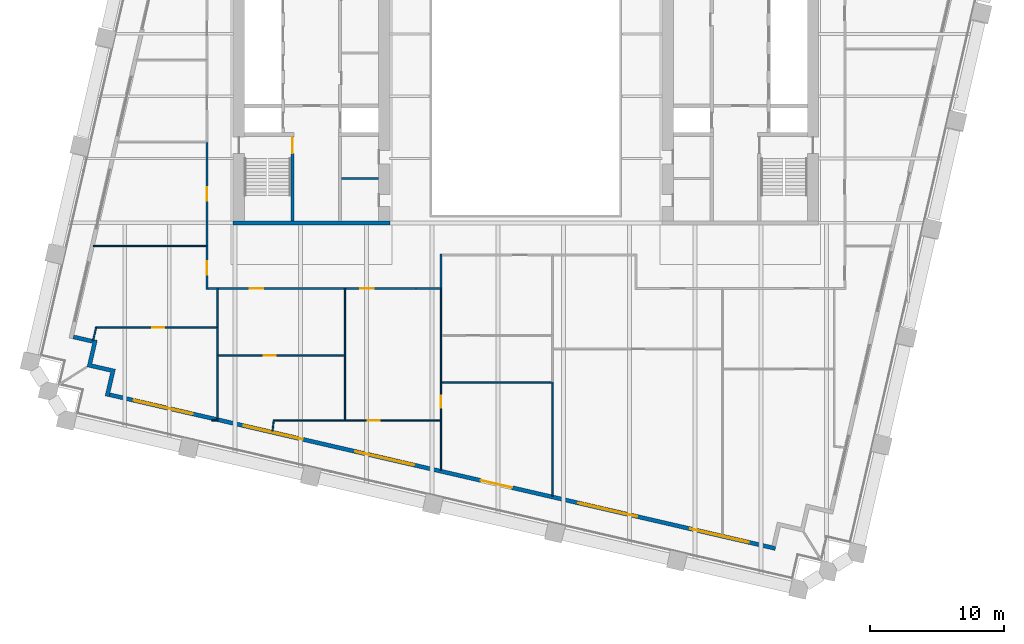
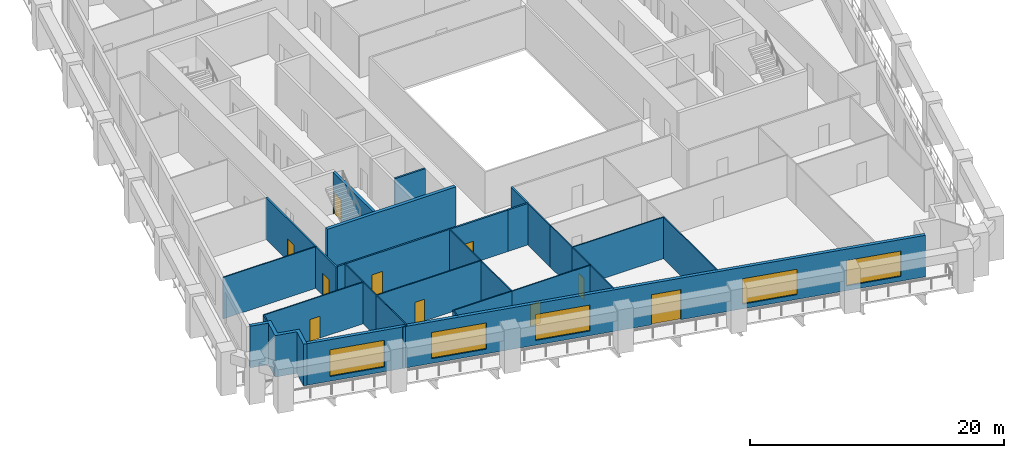
# One storey, part 4 of 11: 31 walls, 10 doors, 5 windows, 15 openings.
"""IFC4 building model written with IfcOpenShell, lengths in metres."""

from ifc_helpers import new_model, si_unit, direction, frame, frame_2d, origin, place, context, subcontext, project, spatial, polyline, rectangle, outline, extrude, material, layer, layer_set, type_object, element, fill, save


model = new_model("IFC4")

# Units and contexts
model_context = context("Model", 3, precision=1e-05, world=origin(), true_north=direction((0.0, 1.0)))
body_context = subcontext(model_context, "Body", "Model", "MODEL_VIEW")
ifc_project = project(units=[si_unit("LENGTHUNIT", "METRE"), si_unit("AREAUNIT", "SQUARE_METRE"), si_unit("VOLUMEUNIT", "CUBIC_METRE"), si_unit("PLANEANGLEUNIT", "RADIAN"), si_unit("MASSUNIT", "GRAM", prefix="KILO")], contexts=[model_context])

# Site, building, storey
site_placement = place(None, origin())
site = spatial("IfcSite", under=ifc_project, at=site_placement, CompositionType="ELEMENT")
building_placement = place(site_placement, origin())
building = spatial("IfcBuilding", under=site, at=building_placement, Name="Ogive Exchange Tower", CompositionType="ELEMENT")
storey_placement = place(building_placement, frame((0.0, 0.0, 135.0)))
storey = spatial("IfcBuildingStorey", under=building, at=storey_placement, Name="L29", CompositionType="ELEMENT", Elevation=135.0)

# Wall
ifc_material_1 = material(Name="Gypsum board partition")
ifc_layer_1 = layer(ifc_material_1, 0.14990234375)
ifc_layer_set_1 = layer_set([ifc_layer_1], Name="Core room partition 150 gypsum")
wall_type_1 = type_object("IfcWallType", Name="Core room partition 150 gypsum", PredefinedType="PARTITIONING", material=ifc_layer_set_1)
wall_1_placement = place(storey_placement, frame((-13.75, 0.699951171875, 0.0), z_axis=(0.0, 0.0, 1.0), x_axis=(1.0, 0.0, 0.0)))
element("IfcWall", 1, at=wall_1_placement, inside=storey, type_object=wall_type_1, Name="W south room partition", PredefinedType="PARTITIONING", context=body_context, shape_type="SweptSolid", body=[
    extrude(rectangle(XDim=2.75, YDim=0.14990234375, at=frame_2d((1.375, 0.0))), origin(), (0.0, 0.0, 1.0), 4.0),
])

# Wall, opening, door
ifc_material_2 = material(Name="Fire partition EI 60 150")
ifc_layer_2 = layer(ifc_material_2, 0.14990234375)
ifc_layer_set_2 = layer_set([ifc_layer_2], Name="Fire partition EI 60 150")
wall_type_2 = type_object("IfcWallType", Name="Fire partition EI 60 150", PredefinedType="PARTITIONING", material=ifc_layer_set_2)
wall_2_placement = place(storey_placement, frame((-23.800048828125, -7.574951171875, 0.0), z_axis=(0.0, 0.0, 1.0), x_axis=(0.0, 1.0, 0.0)))
wall_2 = element("IfcWall", 2, at=wall_2_placement, inside=storey, type_object=wall_type_2, Name="L29-PWL-003", PredefinedType="PARTITIONING", context=body_context, shape_type="SweptSolid", body=[
    extrude(rectangle(XDim=3.2548828125, YDim=0.14990234375, at=frame_2d((1.62744140625, 0.0))), origin(), (0.0, 0.0, 1.0), 4.0),
])
opening_1_placement = place(wall_2_placement, frame((1.10498046875, 0.0, 0.0)))
opening_1 = element("IfcOpeningElement", 3, at=opening_1_placement, cuts=wall_2, Name="Opening L29-I31", PredefinedType="OPENING", context=body_context, shape_type="SweptSolid", body=[
    extrude(rectangle(XDim=1.0, YDim=2.10009765625, at=frame_2d((0.5, 1.050048828125))), frame((0.0, 0.0849609375, 0.0), z_axis=(0.0, -1.0, 0.0), x_axis=(1.0, 0.0, 0.0)), (0.0, 0.0, 1.0), 0.169921875),
])
ifc_material_3 = material(Name="Fire door FD 30S 1000 x 2100")
door_type_1 = type_object("IfcDoorType", Name="Fire door FD 30S 1000 x 2100", OperationType="NOTDEFINED", PredefinedType="DOOR", material=ifc_material_3)
door_1_placement = place(opening_1_placement, origin())
door_1 = element("IfcDoor", 4, at=door_1_placement, inside=storey, type_object=door_type_1, Name="L29-IDR-031", ObjectType="DT3", OperationType="SINGLE_SWING_LEFT", OverallHeight=2.10009765625, OverallWidth=1.0, PredefinedType="DOOR", context=body_context, shape_type="SweptSolid", body=[
    extrude(rectangle(XDim=1.0, YDim=2.10009765625, at=frame_2d((0.5, 1.050048828125))), frame((0.0, 0.02490234375, 0.0), z_axis=(0.0, -1.0, 0.0), x_axis=(1.0, 0.0, 0.0)), (0.0, 0.0, 1.0), 0.050048828125),
])
fill(opening_1, door_1)

wall_3_placement = place(storey_placement, frame((-23.800048828125, -4.320068359375, 0.0), z_axis=(0.0, 0.0, 1.0), x_axis=(0.0, 1.0, 0.0)))
wall_3 = element("IfcWall", 5, at=wall_3_placement, inside=storey, type_object=wall_type_2, Name="L29-PWL-005", PredefinedType="PARTITIONING", context=body_context, shape_type="SweptSolid", body=[
    extrude(rectangle(XDim=7.820068359375, YDim=0.14990234375, at=frame_2d((3.91015625, 0.0))), origin(), (0.0, 0.0, 1.0), 4.0),
])
opening_2_placement = place(wall_3_placement, frame((3.3701171875, 0.0, 0.0)))
opening_2 = element("IfcOpeningElement", 6, at=opening_2_placement, cuts=wall_3, Name="Opening L29-I26", PredefinedType="OPENING", context=body_context, shape_type="SweptSolid", body=[
    extrude(rectangle(XDim=1.0, YDim=2.10009765625, at=frame_2d((0.5, 1.050048828125))), frame((0.0, 0.0849609375, 0.0), z_axis=(0.0, -1.0, 0.0), x_axis=(1.0, 0.0, 0.0)), (0.0, 0.0, 1.0), 0.169921875),
])
door_2_placement = place(opening_2_placement, origin())
door_2 = element("IfcDoor", 7, at=door_2_placement, inside=storey, type_object=door_type_1, Name="L29-IDR-026", ObjectType="DT3", OperationType="SINGLE_SWING_RIGHT", OverallHeight=2.10009765625, OverallWidth=1.0, PredefinedType="DOOR", context=body_context, shape_type="SweptSolid", body=[
    extrude(rectangle(XDim=1.0, YDim=2.10009765625, at=frame_2d((0.5, 1.050048828125))), frame((0.0, 0.02490234375, 0.0), z_axis=(0.0, -1.0, 0.0), x_axis=(1.0, 0.0, 0.0)), (0.0, 0.0, 1.0), 0.050048828125),
])
fill(opening_2, door_2)

# Wall
wall_4_placement = place(storey_placement, frame((-23.06005859375, -7.5, 0.0), z_axis=(0.0, 0.0, 1.0), x_axis=(-1.0, 0.0, 0.0)))
element("IfcWall", 8, at=wall_4_placement, inside=storey, type_object=wall_type_2, Name="L29-PWL-020", PredefinedType="PARTITIONING", context=body_context, shape_type="SweptSolid", body=[
    extrude(rectangle(XDim=0.6650390625, YDim=0.14990234375, at=frame_2d((0.33251953125, 0.0))), origin(), (0.0, 0.0, 1.0), 4.0),
])

# Wall, opening, door
wall_5_placement = place(storey_placement, frame((-13.550048828125, -7.5, 0.0), z_axis=(0.0, 0.0, 1.0), x_axis=(-1.0, 0.0, 0.0)))
wall_5 = element("IfcWall", 9, at=wall_5_placement, inside=storey, type_object=wall_type_2, Name="L29-PWL-034", PredefinedType="PARTITIONING", context=body_context, shape_type="SweptSolid", body=[
    extrude(rectangle(XDim=9.409912109375, YDim=0.14990234375, at=frame_2d((4.705078125, 0.0))), origin(), (0.0, 0.0, 1.0), 4.0),
])
opening_3_placement = place(wall_5_placement, frame((6.06005859375, 0.0, 0.0)))
opening_3 = element("IfcOpeningElement", 10, at=opening_3_placement, cuts=wall_5, Name="Opening L29-I30", PredefinedType="OPENING", context=body_context, shape_type="SweptSolid", body=[
    extrude(rectangle(XDim=1.0, YDim=2.10009765625, at=frame_2d((0.5, 1.050048828125))), frame((0.0, 0.0849609375, 0.0), z_axis=(0.0, -1.0, 0.0), x_axis=(1.0, 0.0, 0.0)), (0.0, 0.0, 1.0), 0.169921875),
])
door_3_placement = place(opening_3_placement, origin())
door_3 = element("IfcDoor", 11, at=door_3_placement, inside=storey, type_object=door_type_1, Name="L29-IDR-030", ObjectType="DT3", OperationType="SINGLE_SWING_LEFT", OverallHeight=2.10009765625, OverallWidth=1.0, PredefinedType="DOOR", context=body_context, shape_type="SweptSolid", body=[
    extrude(rectangle(XDim=1.0, YDim=2.10009765625, at=frame_2d((0.5, 1.050048828125))), frame((0.0, 0.02490234375, 0.0), z_axis=(0.0, -1.0, 0.0), x_axis=(1.0, 0.0, 0.0)), (0.0, 0.0, 1.0), 0.050048828125),
])
fill(opening_3, door_3)

wall_6_placement = place(storey_placement, frame((-8.199951171875, -7.5, 0.0), z_axis=(0.0, 0.0, 1.0), x_axis=(-1.0, 0.0, 0.0)))
wall_6 = element("IfcWall", 12, at=wall_6_placement, inside=storey, type_object=wall_type_2, Name="L29-PWL-035", PredefinedType="PARTITIONING", context=body_context, shape_type="SweptSolid", body=[
    extrude(rectangle(XDim=5.25, YDim=0.14990234375, at=frame_2d((2.625, 0.0))), origin(), (0.0, 0.0, 1.0), 4.0),
])
opening_4_placement = place(wall_6_placement, frame((3.14990234375, 0.0, 0.0)))
opening_4 = element("IfcOpeningElement", 13, at=opening_4_placement, cuts=wall_6, Name="Opening L29-I28", PredefinedType="OPENING", context=body_context, shape_type="SweptSolid", body=[
    extrude(rectangle(XDim=1.0, YDim=2.10009765625, at=frame_2d((0.5, 1.050048828125))), frame((0.0, 0.0849609375, 0.0), z_axis=(0.0, -1.0, 0.0), x_axis=(1.0, 0.0, 0.0)), (0.0, 0.0, 1.0), 0.169921875),
])
door_4_placement = place(opening_4_placement, origin())
door_4 = element("IfcDoor", 14, at=door_4_placement, inside=storey, type_object=door_type_1, Name="L29-IDR-028", ObjectType="DT3", OperationType="SINGLE_SWING_LEFT", OverallHeight=2.10009765625, OverallWidth=1.0, PredefinedType="DOOR", context=body_context, shape_type="SweptSolid", body=[
    extrude(rectangle(XDim=1.0, YDim=2.10009765625, at=frame_2d((0.5, 1.050048828125))), frame((0.0, 0.02490234375, 0.0), z_axis=(0.0, -1.0, 0.0), x_axis=(1.0, 0.0, 0.0)), (0.0, 0.0, 1.0), 0.050048828125),
])
fill(opening_4, door_4)

# Walls
wall_7_placement = place(storey_placement, frame((-6.389892578125, -7.489990234375, 0.0), z_axis=(0.0, 0.0, 1.0), x_axis=(-1.0, 0.0, 0.0)))
element("IfcWall", 15, at=wall_7_placement, inside=storey, type_object=wall_type_2, Name="L29-PWL-041", PredefinedType="PARTITIONING", context=body_context, shape_type="SweptSolid", body=[
    extrude(rectangle(XDim=1.81005859375, YDim=0.14990234375, at=frame_2d((0.905029296875, 0.0))), origin(), (0.0, 0.0, 1.0), 4.0),
])
wall_8_placement = place(storey_placement, frame((-6.340087890625, -4.925048828125, 0.0), z_axis=(0.0, 0.0, 1.0), x_axis=(0.0, -1.0, 0.0)))
element("IfcWall", 16, at=wall_8_placement, inside=storey, type_object=wall_type_2, Name="L29-PWL-042", PredefinedType="PARTITIONING", context=body_context, shape_type="SweptSolid", body=[
    extrude(rectangle(XDim=2.56494140625, YDim=0.14990234375, at=frame_2d((1.282470703125, 0.0))), origin(), (0.0, 0.0, 1.0), 4.0),
])

# Wall, openings, door, windows
ifc_material_4 = material(Name="Precast concrete C40/50", Category="concrete")
ifc_layer_3 = layer(ifc_material_4, 0.300048828125)
ifc_layer_set_3 = layer_set([ifc_layer_3], Name="Limestone-faced wall 300")
wall_type_3 = type_object("IfcWallType", Name="Limestone-faced wall 300", PredefinedType="STANDARD", material=ifc_layer_set_3)
wall_9_placement = place(storey_placement, frame((-31.07763671875, -15.4208984375, 0.0), z_axis=(0.0, 0.0, 1.0), x_axis=(0.974370456532, -0.224949357493, 0.0)))
wall_9 = element("IfcWall", 17, at=wall_9_placement, inside=storey, type_object=wall_type_3, Name="External wall S1", PredefinedType="STANDARD", context=body_context, shape_type="SweptSolid", body=[
    extrude(rectangle(XDim=51.0, YDim=0.300048828125, at=frame_2d((25.5, 0.0))), origin(), (0.0, 0.0, 1.0), 4.0),
])
opening_5_placement = place(wall_9_placement, frame((1.875, 0.0, 0.449951171875)))
opening_5 = element("IfcOpeningElement", 18, at=opening_5_placement, cuts=wall_9, Name="Opening W1M", PredefinedType="OPENING", context=body_context, shape_type="SweptSolid", body=[
    extrude(rectangle(XDim=4.5, YDim=2.574951171875, at=frame_2d((2.25, 1.28759765625))), frame((0.0, 0.159912109375, 0.0), z_axis=(0.0, -1.0, 0.0), x_axis=(1.0, 0.0, 0.0)), (0.0, 0.0, 1.0), 0.320068359375),
])
opening_6_placement = place(wall_9_placement, frame((10.27490234375, 0.0, 0.449951171875)))
opening_6 = element("IfcOpeningElement", 19, at=opening_6_placement, cuts=wall_9, Name="Opening W1N", PredefinedType="OPENING", context=body_context, shape_type="SweptSolid", body=[
    extrude(rectangle(XDim=4.5, YDim=2.52490234375, at=frame_2d((2.25, 1.262451171875))), frame((0.0, 0.159912109375, 0.0), z_axis=(0.0, -1.0, 0.0), x_axis=(1.0, 0.0, 0.0)), (0.0, 0.0, 1.0), 0.320068359375),
])
opening_7_placement = place(wall_9_placement, frame((18.824951171875, 0.0, 0.449951171875)))
opening_7 = element("IfcOpeningElement", 20, at=opening_7_placement, cuts=wall_9, Name="Opening W1O", PredefinedType="OPENING", context=body_context, shape_type="SweptSolid", body=[
    extrude(rectangle(XDim=4.5, YDim=2.5, at=frame_2d((2.25, 1.25))), frame((0.0, 0.159912109375, 0.0), z_axis=(0.0, -1.0, 0.0), x_axis=(1.0, 0.0, 0.0)), (0.0, 0.0, 1.0), 0.320068359375),
])
opening_8_placement = place(wall_9_placement, frame((28.425048828125, 0.0, 0.0)))
opening_8 = element("IfcOpeningElement", 21, at=opening_8_placement, cuts=wall_9, Name="Opening D1P", PredefinedType="OPENING", context=body_context, shape_type="SweptSolid", body=[
    extrude(rectangle(XDim=2.39990234375, YDim=2.89990234375, at=frame_2d((1.199951171875, 1.449951171875))), frame((0.0, 0.159912109375, 0.0), z_axis=(0.0, -1.0, 0.0), x_axis=(1.0, 0.0, 0.0)), (0.0, 0.0, 1.0), 0.320068359375),
])
opening_9_placement = place(wall_9_placement, frame((35.925048828125, 0.0, 0.449951171875)))
opening_9 = element("IfcOpeningElement", 22, at=opening_9_placement, cuts=wall_9, Name="Opening W1Q", PredefinedType="OPENING", context=body_context, shape_type="SweptSolid", body=[
    extrude(rectangle(XDim=4.5, YDim=2.449951171875, at=frame_2d((2.25, 1.22509765625))), frame((0.0, 0.159912109375, 0.0), z_axis=(0.0, -1.0, 0.0), x_axis=(1.0, 0.0, 0.0)), (0.0, 0.0, 1.0), 0.320068359375),
])
opening_10_placement = place(wall_9_placement, frame((44.47509765625, 0.0, 0.449951171875)))
opening_10 = element("IfcOpeningElement", 23, at=opening_10_placement, cuts=wall_9, Name="Opening W1Q", PredefinedType="OPENING", context=body_context, shape_type="SweptSolid", body=[
    extrude(rectangle(XDim=4.5, YDim=2.449951171875, at=frame_2d((2.25, 1.22509765625))), frame((0.0, 0.159912109375, 0.0), z_axis=(0.0, -1.0, 0.0), x_axis=(1.0, 0.0, 0.0)), (0.0, 0.0, 1.0), 0.320068359375),
])
ifc_material_5 = material(Name="Clear glass in bronze frame", Category="glass")
door_type_2 = type_object("IfcDoorType", Name="Sliding loggia door 2400 x 2900", OperationType="DOUBLE_DOOR_SLIDING", PredefinedType="DOOR", material=ifc_material_5)
door_5_placement = place(opening_8_placement, origin())
door_5 = element("IfcDoor", 24, at=door_5_placement, inside=storey, type_object=door_type_2, Name="Loggia door S03", OperationType="DOUBLE_DOOR_SLIDING", OverallHeight=2.89990234375, OverallWidth=2.39990234375, PredefinedType="DOOR", context=body_context, shape_type="SweptSolid", body=[
    extrude(rectangle(XDim=2.39990234375, YDim=2.89990234375, at=frame_2d((1.199951171875, 1.449951171875))), frame((0.0, 0.02490234375, 0.0), z_axis=(0.0, -1.0, 0.0), x_axis=(1.0, 0.0, 0.0)), (0.0, 0.0, 1.0), 0.050048828125),
])
fill(opening_8, door_5)
window_type_1 = type_object("IfcWindowType", Name="Twin lancet window 4500 x 2450", PartitioningType="DOUBLE_PANEL_VERTICAL", PredefinedType="WINDOW", material=ifc_material_5)
window_1_placement = place(opening_9_placement, origin())
window_1 = element("IfcWindow", 25, at=window_1_placement, inside=storey, type_object=window_type_1, Name="Window S04", OverallHeight=2.449951171875, OverallWidth=4.5, PartitioningType="DOUBLE_PANEL_VERTICAL", PredefinedType="WINDOW", context=body_context, shape_type="SweptSolid", body=[
    extrude(rectangle(XDim=4.5, YDim=2.449951171875, at=frame_2d((2.25, 1.22509765625))), frame((0.0, 0.030029296875, 0.0), z_axis=(0.0, -1.0, 0.0), x_axis=(1.0, 0.0, 0.0)), (0.0, 0.0, 1.0), 0.06005859375),
])
fill(opening_9, window_1)
window_2_placement = place(opening_10_placement, origin())
window_2 = element("IfcWindow", 26, at=window_2_placement, inside=storey, type_object=window_type_1, Name="Window S05", OverallHeight=2.449951171875, OverallWidth=4.5, PartitioningType="DOUBLE_PANEL_VERTICAL", PredefinedType="WINDOW", context=body_context, shape_type="SweptSolid", body=[
    extrude(rectangle(XDim=4.5, YDim=2.449951171875, at=frame_2d((2.25, 1.22509765625))), frame((0.0, 0.030029296875, 0.0), z_axis=(0.0, -1.0, 0.0), x_axis=(1.0, 0.0, 0.0)), (0.0, 0.0, 1.0), 0.06005859375),
])
fill(opening_10, window_2)
window_type_2 = type_object("IfcWindowType", Name="Twin lancet window 4500 x 2500", PartitioningType="DOUBLE_PANEL_VERTICAL", PredefinedType="WINDOW", material=ifc_material_5)
window_3_placement = place(opening_7_placement, origin())
window_3 = element("IfcWindow", 27, at=window_3_placement, inside=storey, type_object=window_type_2, Name="Window S02", OverallHeight=2.5, OverallWidth=4.5, PartitioningType="DOUBLE_PANEL_VERTICAL", PredefinedType="WINDOW", context=body_context, shape_type="SweptSolid", body=[
    extrude(rectangle(XDim=4.5, YDim=2.5, at=frame_2d((2.25, 1.25))), frame((0.0, 0.030029296875, 0.0), z_axis=(0.0, -1.0, 0.0), x_axis=(1.0, 0.0, 0.0)), (0.0, 0.0, 1.0), 0.06005859375),
])
fill(opening_7, window_3)
window_type_3 = type_object("IfcWindowType", Name="Twin lancet window 4500 x 2525", PartitioningType="DOUBLE_PANEL_VERTICAL", PredefinedType="WINDOW", material=ifc_material_5)
window_4_placement = place(opening_6_placement, origin())
window_4 = element("IfcWindow", 28, at=window_4_placement, inside=storey, type_object=window_type_3, Name="Window S01", OverallHeight=2.52490234375, OverallWidth=4.5, PartitioningType="DOUBLE_PANEL_VERTICAL", PredefinedType="WINDOW", context=body_context, shape_type="SweptSolid", body=[
    extrude(rectangle(XDim=4.5, YDim=2.52490234375, at=frame_2d((2.25, 1.262451171875))), frame((0.0, 0.030029296875, 0.0), z_axis=(0.0, -1.0, 0.0), x_axis=(1.0, 0.0, 0.0)), (0.0, 0.0, 1.0), 0.06005859375),
])
fill(opening_6, window_4)
window_type_4 = type_object("IfcWindowType", Name="Twin lancet window 4500 x 2575", PartitioningType="DOUBLE_PANEL_VERTICAL", PredefinedType="WINDOW", material=ifc_material_5)
window_5_placement = place(opening_5_placement, origin())
window_5 = element("IfcWindow", 29, at=window_5_placement, inside=storey, type_object=window_type_4, Name="Window S00", OverallHeight=2.574951171875, OverallWidth=4.5, PartitioningType="DOUBLE_PANEL_VERTICAL", PredefinedType="WINDOW", context=body_context, shape_type="SweptSolid", body=[
    extrude(rectangle(XDim=4.5, YDim=2.574951171875, at=frame_2d((2.25, 1.28759765625))), frame((0.0, 0.030029296875, 0.0), z_axis=(0.0, -1.0, 0.0), x_axis=(1.0, 0.0, 0.0)), (0.0, 0.0, 1.0), 0.06005859375),
])
fill(opening_5, window_5)

# Walls
wall_10_placement = place(storey_placement, origin())
element("IfcWall", 30, at=wall_10_placement, inside=storey, type_object=wall_type_3, Name="External corner wall C4", PredefinedType="STANDARD", context=body_context, shape_type="SweptSolid", body=[
    extrude(outline(polyline([(-32.392822265625, -13.115966796875), (-30.638916015625, -13.52099609375), (-31.111328125, -15.56689453125), (-31.40380859375, -15.49951171875), (-30.998779296875, -13.74560546875), (-32.752685546875, -13.3408203125), (-32.34765625, -11.5869140625), (-33.809326171875, -11.24951171875), (-33.74169921875, -10.957275390625), (-31.98779296875, -11.362060546875), (-32.392822265625, -13.115966796875)])), origin(), (0.0, 0.0, 1.0), 4.0),
])
ifc_material_6 = material(Name="Partition 100 gypsum")
ifc_layer_4 = layer(ifc_material_6, 0.10009765625)
ifc_layer_set_4 = layer_set([ifc_layer_4], Name="Partition 100 gypsum")
wall_type_4 = type_object("IfcWallType", Name="Partition 100 gypsum", PredefinedType="PARTITIONING", material=ifc_layer_set_4)
wall_11_placement = place(storey_placement, frame((-32.069091796875, -10.361083984375, 0.0), z_axis=(0.0, 0.0, 1.0), x_axis=(-0.222987762652, -0.974821243976, 0.0)))
element("IfcWall", 31, at=wall_11_placement, inside=storey, type_object=wall_type_4, Name="L29-PWL-001", PredefinedType="PARTITIONING", context=body_context, shape_type="SweptSolid", body=[
    extrude(rectangle(XDim=1.0576171875, YDim=0.10009765625, at=frame_2d((0.52880859375, 0.0))), origin(), (0.0, 0.0, 1.0), 4.0),
])
wall_12_placement = place(storey_placement, frame((-23.875, -4.320068359375, 0.0), z_axis=(0.0, 0.0, 1.0), x_axis=(-1.0, 0.0, 0.0)))
element("IfcWall", 32, at=wall_12_placement, inside=storey, type_object=wall_type_4, Name="L29-PWL-004", PredefinedType="PARTITIONING", context=body_context, shape_type="SweptSolid", body=[
    extrude(rectangle(XDim=8.4169921875, YDim=0.10009765625, at=frame_2d((4.20849609375, 0.0))), origin(), (0.0, 0.0, 1.0), 4.0),
])
wall_13_placement = place(storey_placement, frame((-23.429931640625, -17.340087890625, 0.0), z_axis=(0.0, 0.0, 1.0), x_axis=(1.0, 0.0, 0.0)))
element("IfcWall", 33, at=wall_13_placement, inside=storey, type_object=wall_type_4, Name="L29-PWL-014", PredefinedType="PARTITIONING", context=body_context, shape_type="SweptSolid", body=[
    extrude(rectangle(XDim=0.419921875, YDim=0.10009765625, at=frame_2d((0.2099609375, 0.0))), origin(), (0.0, 0.0, 1.0), 4.0),
])
wall_14_placement = place(storey_placement, frame((-23.010009765625, -17.2119140625, 0.0), z_axis=(0.0, 0.0, 1.0), x_axis=(0.0, 1.0, 0.0)))
element("IfcWall", 34, at=wall_14_placement, inside=storey, type_object=wall_type_4, Name="L29-PWL-015", PredefinedType="PARTITIONING", context=body_context, shape_type="SweptSolid", body=[
    extrude(rectangle(XDim=4.761962890625, YDim=0.10009765625, at=frame_2d((2.380859375, 0.0))), origin(), (0.0, 0.0, 1.0), 4.0),
])
wall_15_placement = place(storey_placement, frame((-23.010009765625, -12.449951171875, 0.0), z_axis=(0.0, 0.0, 1.0), x_axis=(0.0, 1.0, 0.0)))
element("IfcWall", 35, at=wall_15_placement, inside=storey, type_object=wall_type_4, Name="L29-PWL-016", PredefinedType="PARTITIONING", context=body_context, shape_type="SweptSolid", body=[
    extrude(rectangle(XDim=2.0400390625, YDim=0.10009765625, at=frame_2d((1.02001953125, 0.0))), origin(), (0.0, 0.0, 1.0), 4.0),
])

# Wall, opening, door
wall_16_placement = place(storey_placement, frame((-22.9599609375, -12.5, 0.0), z_axis=(0.0, 0.0, 1.0), x_axis=(1.0, 0.0, 0.0)))
wall_16 = element("IfcWall", 36, at=wall_16_placement, inside=storey, type_object=wall_type_4, Name="L29-PWL-017", PredefinedType="PARTITIONING", context=body_context, shape_type="SweptSolid", body=[
    extrude(rectangle(XDim=9.510009765625, YDim=0.10009765625, at=frame_2d((4.7548828125, 0.0))), origin(), (0.0, 0.0, 1.0), 4.0),
])
opening_11_placement = place(wall_16_placement, frame((3.39990234375, 0.0, 0.0)))
opening_11 = element("IfcOpeningElement", 37, at=opening_11_placement, cuts=wall_16, Name="Opening L29-I29", PredefinedType="OPENING", context=body_context, shape_type="SweptSolid", body=[
    extrude(rectangle(XDim=0.89990234375, YDim=2.10009765625, at=frame_2d((0.449951171875, 1.050048828125))), frame((0.0, 0.06005859375, 0.0), z_axis=(0.0, -1.0, 0.0), x_axis=(1.0, 0.0, 0.0)), (0.0, 0.0, 1.0), 0.1201171875),
])
ifc_material_7 = material(Name="Door 900 x 2100")
door_type_3 = type_object("IfcDoorType", Name="Door 900 x 2100", OperationType="NOTDEFINED", PredefinedType="DOOR", material=ifc_material_7)
door_6_placement = place(opening_11_placement, origin())
door_6 = element("IfcDoor", 38, at=door_6_placement, inside=storey, type_object=door_type_3, Name="L29-IDR-029", ObjectType="DT1", OperationType="SINGLE_SWING_RIGHT", OverallHeight=2.10009765625, OverallWidth=0.89990234375, PredefinedType="DOOR", context=body_context, shape_type="SweptSolid", body=[
    extrude(rectangle(XDim=0.89990234375, YDim=2.10009765625, at=frame_2d((0.449951171875, 1.050048828125))), frame((0.0, 0.02490234375, 0.0), z_axis=(0.0, -1.0, 0.0), x_axis=(1.0, 0.0, 0.0)), (0.0, 0.0, 1.0), 0.050048828125),
])
fill(opening_11, door_6)

wall_17_placement = place(storey_placement, frame((-23.06005859375, -10.409912109375, 0.0), z_axis=(0.0, 0.0, 1.0), x_axis=(-1.0, 0.0, 0.0)))
wall_17 = element("IfcWall", 39, at=wall_17_placement, inside=storey, type_object=wall_type_4, Name="L29-PWL-018", PredefinedType="PARTITIONING", context=body_context, shape_type="SweptSolid", body=[
    extrude(rectangle(XDim=8.969970703125, YDim=0.10009765625, at=frame_2d((4.48486328125, 0.0))), origin(), (0.0, 0.0, 1.0), 4.0),
])
opening_12_placement = place(wall_17_placement, frame((3.919921875, 0.0, 0.0)))
opening_12 = element("IfcOpeningElement", 40, at=opening_12_placement, cuts=wall_17, Name="Opening L29-I32", PredefinedType="OPENING", context=body_context, shape_type="SweptSolid", body=[
    extrude(rectangle(XDim=0.89990234375, YDim=2.10009765625, at=frame_2d((0.449951171875, 1.050048828125))), frame((0.0, 0.06005859375, 0.0), z_axis=(0.0, -1.0, 0.0), x_axis=(1.0, 0.0, 0.0)), (0.0, 0.0, 1.0), 0.1201171875),
])
door_7_placement = place(opening_12_placement, origin())
door_7 = element("IfcDoor", 41, at=door_7_placement, inside=storey, type_object=door_type_3, Name="L29-IDR-032", ObjectType="DT1", OperationType="SINGLE_SWING_RIGHT", OverallHeight=2.10009765625, OverallWidth=0.89990234375, PredefinedType="DOOR", context=body_context, shape_type="SweptSolid", body=[
    extrude(rectangle(XDim=0.89990234375, YDim=2.10009765625, at=frame_2d((0.449951171875, 1.050048828125))), frame((0.0, 0.02490234375, 0.0), z_axis=(0.0, -1.0, 0.0), x_axis=(1.0, 0.0, 0.0)), (0.0, 0.0, 1.0), 0.050048828125),
])
fill(opening_12, door_7)

# Walls
wall_18_placement = place(storey_placement, frame((-23.010009765625, -10.409912109375, 0.0), z_axis=(0.0, 0.0, 1.0), x_axis=(0.0, 1.0, 0.0)))
element("IfcWall", 42, at=wall_18_placement, inside=storey, type_object=wall_type_4, Name="L29-PWL-019", PredefinedType="PARTITIONING", context=body_context, shape_type="SweptSolid", body=[
    extrude(rectangle(XDim=2.98486328125, YDim=0.10009765625, at=frame_2d((1.492431640625, 0.0))), origin(), (0.0, 0.0, 1.0), 4.0),
])
wall_19_placement = place(storey_placement, frame((-18.9150390625, -18.156982421875, 0.0), z_axis=(0.0, 0.0, 1.0), x_axis=(0.11580251051, 0.993272258024, 0.0)))
element("IfcWall", 43, at=wall_19_placement, inside=storey, type_object=wall_type_4, Name="L29-PWL-021", PredefinedType="PARTITIONING", context=body_context, shape_type="SweptSolid", body=[
    extrude(rectangle(XDim=0.872802734375, YDim=0.10009765625, at=frame_2d((0.4365234375, 0.0))), origin(), (0.0, 0.0, 1.0), 4.0),
])
wall_20_placement = place(storey_placement, frame((-18.77001953125, -17.340087890625, 0.0), z_axis=(0.0, 0.0, 1.0), x_axis=(1.0, 0.0, 0.0)))
element("IfcWall", 44, at=wall_20_placement, inside=storey, type_object=wall_type_4, Name="L29-PWL-022", PredefinedType="PARTITIONING", context=body_context, shape_type="SweptSolid", body=[
    extrude(rectangle(XDim=5.27001953125, YDim=0.10009765625, at=frame_2d((2.635009765625, 0.0))), origin(), (0.0, 0.0, 1.0), 4.0),
])
wall_21_placement = place(storey_placement, frame((-13.5, -17.2900390625, 0.0), z_axis=(0.0, 0.0, 1.0), x_axis=(0.0, 1.0, 0.0)))
element("IfcWall", 45, at=wall_21_placement, inside=storey, type_object=wall_type_4, Name="L29-PWL-031", PredefinedType="PARTITIONING", context=body_context, shape_type="SweptSolid", body=[
    extrude(rectangle(XDim=4.739990234375, YDim=0.10009765625, at=frame_2d((2.3701171875, 0.0))), origin(), (0.0, 0.0, 1.0), 4.0),
])

# Wall, opening, door
wall_22_placement = place(storey_placement, frame((-13.5, -17.340087890625, 0.0), z_axis=(0.0, 0.0, 1.0), x_axis=(1.0, 0.0, 0.0)))
wall_22 = element("IfcWall", 46, at=wall_22_placement, inside=storey, type_object=wall_type_4, Name="L29-PWL-032", PredefinedType="PARTITIONING", context=body_context, shape_type="SweptSolid", body=[
    extrude(rectangle(XDim=7.2099609375, YDim=0.10009765625, at=frame_2d((3.60498046875, 0.0))), origin(), (0.0, 0.0, 1.0), 4.0),
])
opening_13_placement = place(wall_22_placement, frame((1.699951171875, 0.0, 0.0)))
opening_13 = element("IfcOpeningElement", 47, at=opening_13_placement, cuts=wall_22, Name="Opening L29-I27", PredefinedType="OPENING", context=body_context, shape_type="SweptSolid", body=[
    extrude(rectangle(XDim=0.89990234375, YDim=2.10009765625, at=frame_2d((0.449951171875, 1.050048828125))), frame((0.0, 0.06005859375, 0.0), z_axis=(0.0, -1.0, 0.0), x_axis=(1.0, 0.0, 0.0)), (0.0, 0.0, 1.0), 0.1201171875),
])
door_8_placement = place(opening_13_placement, frame((0.89990234375, 0.0, 0.0), z_axis=(0.0, 0.0, 1.0), x_axis=(-1.0, 0.0, 0.0)))
door_8 = element("IfcDoor", 48, at=door_8_placement, inside=storey, type_object=door_type_3, Name="L29-IDR-027", ObjectType="DT1", OperationType="SINGLE_SWING_LEFT", OverallHeight=2.10009765625, OverallWidth=0.89990234375, PredefinedType="DOOR", context=body_context, shape_type="SweptSolid", body=[
    extrude(rectangle(XDim=0.89990234375, YDim=2.10009765625, at=frame_2d((0.449951171875, 1.050048828125))), frame((0.0, 0.02490234375, 0.0), z_axis=(0.0, -1.0, 0.0), x_axis=(1.0, 0.0, 0.0)), (0.0, 0.0, 1.0), 0.050048828125),
])
fill(opening_13, door_8)

# Walls
wall_23_placement = place(storey_placement, frame((-13.5, -12.449951171875, 0.0), z_axis=(0.0, 0.0, 1.0), x_axis=(0.0, 1.0, 0.0)))
element("IfcWall", 49, at=wall_23_placement, inside=storey, type_object=wall_type_4, Name="L29-PWL-033", PredefinedType="PARTITIONING", context=body_context, shape_type="SweptSolid", body=[
    extrude(rectangle(XDim=5.02490234375, YDim=0.10009765625, at=frame_2d((2.512451171875, 0.0))), origin(), (0.0, 0.0, 1.0), 4.0),
])
wall_24_placement = place(storey_placement, frame((-6.340087890625, -21.06103515625, 0.0), z_axis=(0.0, 0.0, 1.0), x_axis=(0.0, 1.0, 0.0)))
element("IfcWall", 50, at=wall_24_placement, inside=storey, type_object=wall_type_4, Name="L29-PWL-037", PredefinedType="PARTITIONING", context=body_context, shape_type="SweptSolid", body=[
    extrude(rectangle(XDim=3.671142578125, YDim=0.10009765625, at=frame_2d((1.83544921875, 0.0))), origin(), (0.0, 0.0, 1.0), 4.0),
])

# Wall, opening, door
wall_25_placement = place(storey_placement, frame((-6.340087890625, -17.2900390625, 0.0), z_axis=(0.0, 0.0, 1.0), x_axis=(0.0, 1.0, 0.0)))
wall_25 = element("IfcWall", 51, at=wall_25_placement, inside=storey, type_object=wall_type_4, Name="L29-PWL-038", PredefinedType="PARTITIONING", context=body_context, shape_type="SweptSolid", body=[
    extrude(rectangle(XDim=2.739990234375, YDim=0.10009765625, at=frame_2d((1.3701171875, 0.0))), origin(), (0.0, 0.0, 1.0), 4.0),
])
opening_14_placement = place(wall_25_placement, frame((0.89990234375, 0.0, 0.0)))
opening_14 = element("IfcOpeningElement", 52, at=opening_14_placement, cuts=wall_25, Name="Opening L29-I03", PredefinedType="OPENING", context=body_context, shape_type="SweptSolid", body=[
    extrude(rectangle(XDim=0.89990234375, YDim=2.10009765625, at=frame_2d((0.449951171875, 1.050048828125))), frame((0.0, 0.06005859375, 0.0), z_axis=(0.0, -1.0, 0.0), x_axis=(1.0, 0.0, 0.0)), (0.0, 0.0, 1.0), 0.1201171875),
])
door_9_placement = place(opening_14_placement, frame((0.89990234375, 0.0, 0.0), z_axis=(0.0, 0.0, 1.0), x_axis=(-1.0, 0.0, 0.0)))
door_9 = element("IfcDoor", 53, at=door_9_placement, inside=storey, type_object=door_type_3, Name="L29-IDR-003", ObjectType="DT1", OperationType="SINGLE_SWING_RIGHT", OverallHeight=2.10009765625, OverallWidth=0.89990234375, PredefinedType="DOOR", context=body_context, shape_type="SweptSolid", body=[
    extrude(rectangle(XDim=0.89990234375, YDim=2.10009765625, at=frame_2d((0.449951171875, 1.050048828125))), frame((0.0, 0.02490234375, 0.0), z_axis=(0.0, -1.0, 0.0), x_axis=(1.0, 0.0, 0.0)), (0.0, 0.0, 1.0), 0.050048828125),
])
fill(opening_14, door_9)

# Walls
wall_26_placement = place(storey_placement, frame((-6.340087890625, -14.550048828125, 0.0), z_axis=(0.0, 0.0, 1.0), x_axis=(0.0, 1.0, 0.0)))
element("IfcWall", 54, at=wall_26_placement, inside=storey, type_object=wall_type_4, Name="L29-PWL-039", PredefinedType="PARTITIONING", context=body_context, shape_type="SweptSolid", body=[
    extrude(rectangle(XDim=3.5, YDim=0.10009765625, at=frame_2d((1.75, 0.0))), origin(), (0.0, 0.0, 1.0), 4.0),
])
wall_27_placement = place(storey_placement, frame((-6.340087890625, -11.050048828125, 0.0), z_axis=(0.0, 0.0, 1.0), x_axis=(0.0, 1.0, 0.0)))
element("IfcWall", 55, at=wall_27_placement, inside=storey, type_object=wall_type_4, Name="L29-PWL-040", PredefinedType="PARTITIONING", context=body_context, shape_type="SweptSolid", body=[
    extrude(rectangle(XDim=3.56005859375, YDim=0.10009765625, at=frame_2d((1.780029296875, 0.0))), origin(), (0.0, 0.0, 1.0), 4.0),
])
wall_28_placement = place(storey_placement, frame((2.0400390625, -14.5, 0.0), z_axis=(0.0, 0.0, 1.0), x_axis=(-1.0, 0.0, 0.0)))
element("IfcWall", 56, at=wall_28_placement, inside=storey, type_object=wall_type_4, Name="L29-PWL-050", PredefinedType="PARTITIONING", context=body_context, shape_type="SweptSolid", body=[
    extrude(rectangle(XDim=8.330078125, YDim=0.10009765625, at=frame_2d((4.1650390625, 0.0))), origin(), (0.0, 0.0, 1.0), 4.0),
])
wall_29_placement = place(storey_placement, frame((1.989990234375, -14.550048828125, 0.0), z_axis=(0.0, 0.0, 1.0), x_axis=(0.0, -1.0, 0.0)))
element("IfcWall", 57, at=wall_29_placement, inside=storey, type_object=wall_type_4, Name="L29-PWL-051", PredefinedType="PARTITIONING", context=body_context, shape_type="SweptSolid", body=[
    extrude(rectangle(XDim=8.433837890625, YDim=0.10009765625, at=frame_2d((4.216796875, 0.0))), origin(), (0.0, 0.0, 1.0), 4.0),
])

# Wall, opening, door
ifc_material_8 = material(Name="Concrete C70/85", Category="concrete")
ifc_layer_5 = layer(ifc_material_8, 0.25)
ifc_layer_set_5 = layer_set([ifc_layer_5], Name="RC core wall 250 C70/85")
wall_type_5 = type_object("IfcWallType", Name="RC core wall 250 C70/85", PredefinedType="SHEAR", material=ifc_layer_set_5)
wall_30_placement = place(storey_placement, frame((-17.425048828125, -2.449951171875, 0.0), z_axis=(0.0, 0.0, 1.0), x_axis=(0.0, 1.0, 0.0)))
wall_30 = element("IfcWall", 58, at=wall_30_placement, inside=storey, type_object=wall_type_5, Name="W stair S front wall", PredefinedType="SHEAR", context=body_context, shape_type="SweptSolid", body=[
    extrude(rectangle(XDim=6.300048828125, YDim=0.25, at=frame_2d((3.14990234375, 0.0))), origin(), (0.0, 0.0, 1.0), 4.0),
])
opening_15_placement = place(wall_30_placement, frame((5.050048828125, 0.0, 0.0)))
opening_15 = element("IfcOpeningElement", 59, at=opening_15_placement, cuts=wall_30, Name="Opening L29-C13", PredefinedType="OPENING", context=body_context, shape_type="SweptSolid", body=[
    extrude(rectangle(XDim=1.199951171875, YDim=2.10009765625, at=frame_2d((0.60009765625, 1.050048828125))), frame((0.0, 0.135009765625, 0.0), z_axis=(0.0, -1.0, 0.0), x_axis=(1.0, 0.0, 0.0)), (0.0, 0.0, 1.0), 0.27001953125),
])
ifc_material_9 = material(Name="Steel fire door", Category="steel")
door_type_4 = type_object("IfcDoorType", Name="Stair door FD90 1200 x 2100", OperationType="NOTDEFINED", PredefinedType="DOOR", material=ifc_material_9)
door_10_placement = place(opening_15_placement, origin())
door_10 = element("IfcDoor", 60, at=door_10_placement, inside=storey, type_object=door_type_4, Name="Stair door", ObjectType="CD5", OperationType="SINGLE_SWING_LEFT", OverallHeight=2.10009765625, OverallWidth=1.199951171875, PredefinedType="DOOR", context=body_context, shape_type="SweptSolid", body=[
    extrude(rectangle(XDim=1.199951171875, YDim=2.10009765625, at=frame_2d((0.60009765625, 1.050048828125))), frame((0.0, 0.02490234375, 0.0), z_axis=(0.0, -1.0, 0.0), x_axis=(1.0, 0.0, 0.0)), (0.0, 0.0, 1.0), 0.050048828125),
])
fill(opening_15, door_10)

# Wall
ifc_layer_6 = layer(ifc_material_8, 0.300048828125)
ifc_layer_set_6 = layer_set([ifc_layer_6], Name="RC core wall 300 C70/85")
wall_type_6 = type_object("IfcWallType", Name="RC core wall 300 C70/85", PredefinedType="SHEAR", material=ifc_layer_set_6)
wall_31_placement = place(storey_placement, frame((-21.85009765625, -2.60009765625, 0.0), z_axis=(0.0, 0.0, 1.0), x_axis=(1.0, 0.0, 0.0)))
element("IfcWall", 61, at=wall_31_placement, inside=storey, type_object=wall_type_6, Name="W south end wall", PredefinedType="SHEAR", context=body_context, shape_type="SweptSolid", body=[
    extrude(rectangle(XDim=11.7001953125, YDim=0.300048828125, at=frame_2d((5.85009765625, 0.0))), origin(), (0.0, 0.0, 1.0), 4.0),
])

save(model, "model.ifc")
